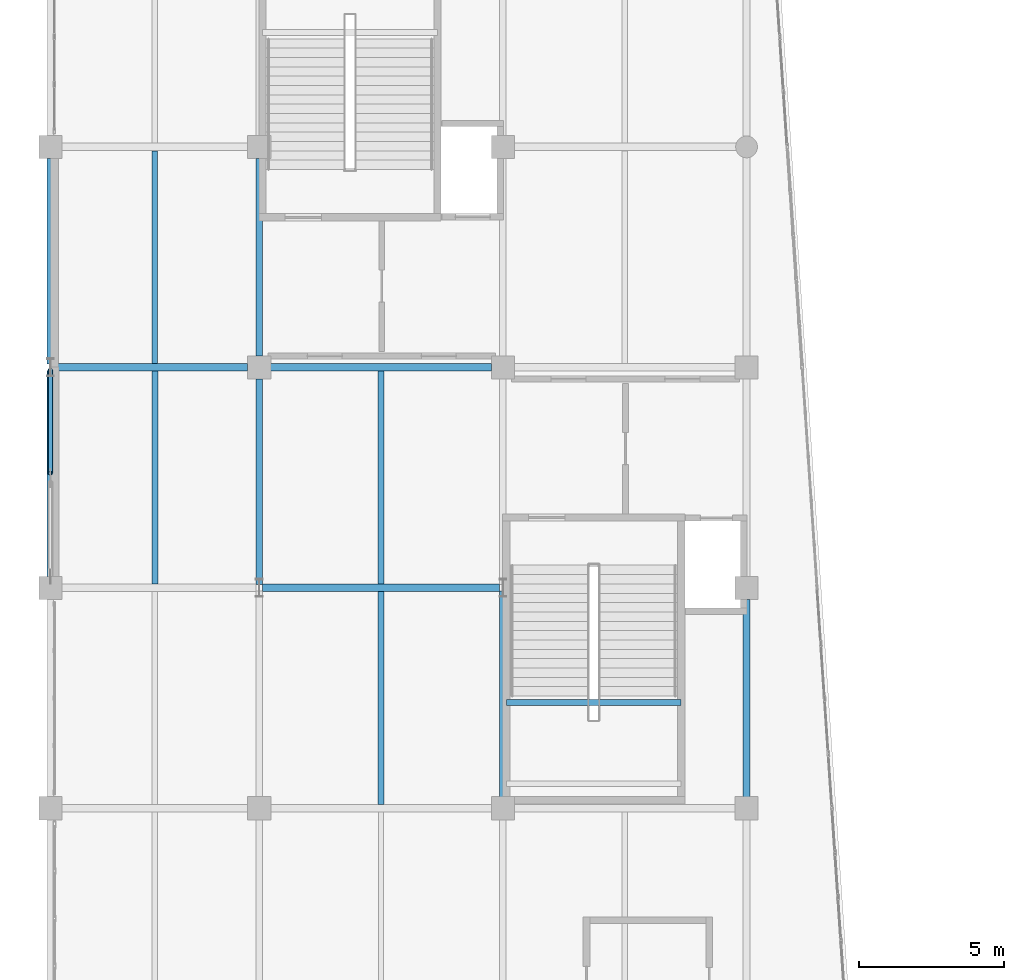
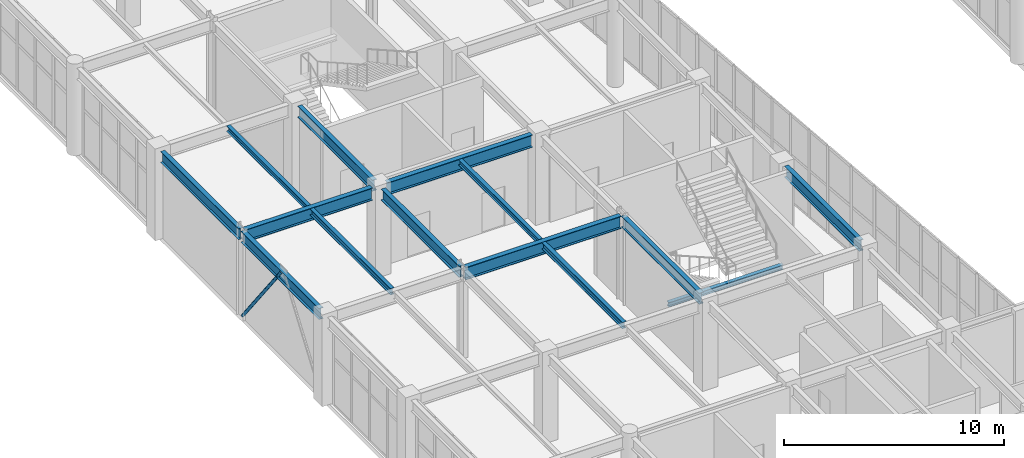
# One storey, part 22 of 128: 14 beams, 1 member.
"""IFC4 building model written with IfcOpenShell, lengths in metres."""

from ifc_helpers import new_model, si_unit, direction, frame, origin, origin_2d, place, context, subcontext, project, spatial, hollow_circle, i_section, extrude, material, material_profile, profile_set, type_object, element, save


model = new_model("IFC4")

# Units and contexts
model_context = context("Model", 3, precision=1e-05, world=origin(), true_north=direction((0.0, 1.0)))
body_context = subcontext(model_context, "Body", "Model", "MODEL_VIEW")
ifc_project = project(units=[si_unit("LENGTHUNIT", "METRE"), si_unit("AREAUNIT", "SQUARE_METRE"), si_unit("VOLUMEUNIT", "CUBIC_METRE"), si_unit("PLANEANGLEUNIT", "RADIAN"), si_unit("MASSUNIT", "GRAM", prefix="KILO")], contexts=[model_context])

# Site, building, storey
site_placement = place(None, origin())
site = spatial("IfcSite", under=ifc_project, at=site_placement, CompositionType="ELEMENT")
building_placement = place(site_placement, origin())
building = spatial("IfcBuilding", under=site, at=building_placement, Name="Xicomal Pleat Aquarium", CompositionType="ELEMENT")
storey_placement = place(building_placement, frame((0.0, 0.0, 5.39990234375)))
storey = spatial("IfcBuildingStorey", under=building, at=storey_placement, Name="L02", CompositionType="ELEMENT", Elevation=5.39990234375)

# Beams
ifc_material_1 = material(Name="Structural steel A992 Gr 50", Category="steel")
ifc_material_profile_1 = material_profile(ifc_material_1, i_section(OverallWidth=0.201904296875, OverallDepth=0.2470703125, WebThickness=0.00732421875, FlangeThickness=0.010986328125, at=origin_2d()), Name="IR 250x49")
ifc_profile_set_1 = profile_set([ifc_material_profile_1], Name="Structural steel A992 Gr 50")
beam_type_1 = type_object("IfcBeamType", Name="BM-STL-IR250", PredefinedType="JOIST", material=ifc_profile_set_1)
beam_1_placement = place(storey_placement, frame((18.719970703125, 49.251953125, 2.22900390625), z_axis=(1.0, 0.0, 0.0), x_axis=(0.0, 1.0, 0.0)))
element("IfcBeam", 1, at=beam_1_placement, inside=storey, type_object=beam_type_1, Name="ST-04-L02 half-landing bearer beam 2", PredefinedType="JOIST", context=body_context, shape_type="SweptSolid", body=[
    extrude(i_section(OverallWidth=0.201904296875, OverallDepth=0.2470703125, WebThickness=0.00732421875, FlangeThickness=0.010986328125, at=origin_2d()), origin(), (0.0, 0.0, 1.0), 6.02001953125),
])
ifc_material_2 = material(Name="Structural steel A992 Gr 50", Category="steel")
ifc_material_profile_2 = material_profile(ifc_material_2, i_section(OverallWidth=0.202880859375, OverallDepth=0.302978515625, WebThickness=0.007568359375, FlangeThickness=0.01318359375, at=origin_2d()), Name="IR 310x60")
ifc_profile_set_2 = profile_set([ifc_material_profile_2], Name="Structural steel A992 Gr 50")
beam_type_2 = type_object("IfcBeamType", Name="BM-STL-IR310", PredefinedType="JOIST", material=ifc_profile_set_2)
beam_2_placement = place(storey_placement, frame((6.60009765625, 60.930908203125, 4.7236328125), z_axis=(0.0, 1.0, 0.0), x_axis=(-1.0, 0.0, 0.0)))
element("IfcBeam", 2, at=beam_2_placement, inside=storey, type_object=beam_type_2, Name="L02 framing beam FBJ-L02-01-J-1", PredefinedType="JOIST", context=body_context, shape_type="SweptSolid", body=[
    extrude(i_section(OverallWidth=0.202880859375, OverallDepth=0.302978515625, WebThickness=0.007568359375, FlangeThickness=0.01318359375, at=origin_2d()), origin(), (0.0, 0.0, 1.0), 7.338134765625),
])
beam_3_placement = place(storey_placement, frame((14.39990234375, 53.3310546875, 4.7236328125), z_axis=(0.0, 1.0, 0.0), x_axis=(-1.0, 0.0, 0.0)))
element("IfcBeam", 3, at=beam_3_placement, inside=storey, type_object=beam_type_2, Name="L02 framing beam FBJ-L02-02-H-1", PredefinedType="JOIST", context=body_context, shape_type="SweptSolid", body=[
    extrude(i_section(OverallWidth=0.202880859375, OverallDepth=0.302978515625, WebThickness=0.007568359375, FlangeThickness=0.01318359375, at=origin_2d()), origin(), (0.0, 0.0, 1.0), 7.337890625),
])
ifc_material_3 = material(Name="Structural steel A992 Gr 50", Category="steel")
ifc_material_profile_3 = material_profile(ifc_material_3, i_section(OverallWidth=0.205078125, OverallDepth=0.35400390625, WebThickness=0.009521484375, FlangeThickness=0.016845703125, at=origin_2d()), Name="IR 360x79")
ifc_profile_set_3 = profile_set([ifc_material_profile_3], Name="Structural steel A992 Gr 50")
beam_type_3 = type_object("IfcBeamType", Name="BM-STL-IR360", PredefinedType="JOIST", material=ifc_profile_set_3)
beam_4_placement = place(storey_placement, frame((6.60009765625, 53.3310546875, 4.697998046875), z_axis=(0.0, 1.0, 0.0), x_axis=(-1.0, 0.0, 0.0)))
element("IfcBeam", 4, at=beam_4_placement, inside=storey, type_object=beam_type_3, Name="L02 framing beam FBJ-L02-01-H-1", PredefinedType="JOIST", context=body_context, shape_type="SweptSolid", body=[
    extrude(i_section(OverallWidth=0.205078125, OverallDepth=0.35400390625, WebThickness=0.009521484375, FlangeThickness=0.016845703125, at=origin_2d()), origin(), (0.0, 0.0, 1.0), 7.337890625),
])
beam_5_placement = place(storey_placement, frame((14.39990234375, 45.73095703125, 4.697998046875), z_axis=(0.0, 1.0, 0.0), x_axis=(-1.0, 0.0, 0.0)))
element("IfcBeam", 5, at=beam_5_placement, inside=storey, type_object=beam_type_3, Name="L02 framing beam FBJ-L02-02-G-1", PredefinedType="JOIST", context=body_context, shape_type="SweptSolid", body=[
    extrude(i_section(OverallWidth=0.205078125, OverallDepth=0.35400390625, WebThickness=0.009521484375, FlangeThickness=0.016845703125, at=origin_2d()), origin(), (0.0, 0.0, 1.0), 7.338134765625),
])
ifc_material_4 = material(Name="Structural steel A992 Gr 50", Category="steel")
ifc_material_profile_4 = material_profile(ifc_material_4, i_section(OverallWidth=0.22998046875, OverallDepth=0.616943359375, WebThickness=0.01318359375, FlangeThickness=0.022216796875, at=origin_2d()), Name="IR 610x140")
ifc_profile_set_4 = profile_set([ifc_material_profile_4], Name="Structural steel A992 Gr 50")
beam_type_4 = type_object("IfcBeamType", Name="BM-STL-IR610", PredefinedType="BEAM", material=ifc_profile_set_4)
for number, where, z_axis, x_axis, name in (
    (6, (3.0, 53.594970703125, 4.566650390625), (0.0, 1.0, 0.0), (-1.0, 0.0, 0.0), "L02 framing beam FGY-L02-01-H-J"),
    (7, (3.0, 60.909912109375, 4.566650390625), (0.0, 1.0, 0.0), (-1.0, 0.0, 0.0), "L02 framing beam FGY-L02-01-J-K"),
    (8, (10.199951171875, 53.31005859375, 4.566650390625), (0.0, 1.0, 0.0), (-1.0, 0.0, 0.0), "L02 framing beam FGY-L02-02-H-J"),
):
    element("IfcBeam", number, at=place(storey_placement, frame(where, z_axis=z_axis, x_axis=x_axis)), inside=storey, type_object=beam_type_4, Name=name, PredefinedType="BEAM", context=body_context, shape_type="SweptSolid", body=[
        extrude(i_section(OverallWidth=0.22998046875, OverallDepth=0.616943359375, WebThickness=0.01318359375, FlangeThickness=0.022216796875, at=origin_2d()), origin(), (0.0, 0.0, 1.0), 7.094970703125),
    ])
beam_6_placement = place(storey_placement, frame((10.199951171875, 61.195068359375, 4.566650390625), z_axis=(0.0, 1.0, 0.0), x_axis=(-1.0, 0.0, 0.0)))
element("IfcBeam", 9, at=beam_6_placement, inside=storey, type_object=beam_type_4, Name="L02 framing beam FGY-L02-02-J-K", PredefinedType="BEAM", context=body_context, shape_type="SweptSolid", body=[
    extrude(i_section(OverallWidth=0.22998046875, OverallDepth=0.616943359375, WebThickness=0.01318359375, FlangeThickness=0.022216796875, at=origin_2d()), origin(), (0.0, 0.0, 1.0), 6.809814453125),
])
beam_7_placement = place(storey_placement, frame((18.60009765625, 45.9951171875, 4.566650390625), z_axis=(0.0, 1.0, 0.0), x_axis=(-1.0, 0.0, 0.0)))
element("IfcBeam", 10, at=beam_7_placement, inside=storey, type_object=beam_type_4, Name="L02 framing beam FGY-L02-03-G-H", PredefinedType="BEAM", context=body_context, shape_type="SweptSolid", body=[
    extrude(i_section(OverallWidth=0.22998046875, OverallDepth=0.616943359375, WebThickness=0.01318359375, FlangeThickness=0.022216796875, at=origin_2d()), origin(), (0.0, 0.0, 1.0), 7.094970703125),
])
beam_8_placement = place(storey_placement, frame((27.0, 45.9951171875, 4.566650390625), z_axis=(0.0, 1.0, 0.0), x_axis=(-1.0, 0.0, 0.0)))
element("IfcBeam", 11, at=beam_8_placement, inside=storey, type_object=beam_type_4, Name="L02 framing beam FGY-L02-04-G-H", PredefinedType="BEAM", context=body_context, shape_type="SweptSolid", body=[
    extrude(i_section(OverallWidth=0.22998046875, OverallDepth=0.616943359375, WebThickness=0.01318359375, FlangeThickness=0.022216796875, at=origin_2d()), origin(), (0.0, 0.0, 1.0), 6.809814453125),
])
ifc_material_5 = material(Name="Structural steel A992 Gr 50", Category="steel")
ifc_material_profile_5 = material_profile(ifc_material_5, i_section(OverallWidth=0.256103515625, OverallDepth=0.693115234375, WebThickness=0.014404296875, FlangeThickness=0.023681640625, at=origin_2d()), Name="IR 690x170")
ifc_profile_set_5 = profile_set([ifc_material_profile_5], Name="Structural steel A992 Gr 50")
beam_type_5 = type_object("IfcBeamType", Name="BM-STL-IR690", PredefinedType="BEAM", material=ifc_profile_set_5)
beam_9_placement = place(storey_placement, frame((10.31005859375, 53.199951171875, 4.528564453125), z_axis=(1.0, 0.0, 0.0), x_axis=(0.0, 1.0, 0.0)))
element("IfcBeam", 12, at=beam_9_placement, inside=storey, type_object=beam_type_5, Name="L02 framing beam FGX-L02-02-03-H", PredefinedType="BEAM", context=body_context, shape_type="SweptSolid", body=[
    extrude(i_section(OverallWidth=0.256103515625, OverallDepth=0.693115234375, WebThickness=0.014404296875, FlangeThickness=0.023681640625, at=origin_2d()), origin(), (0.0, 0.0, 1.0), 8.179931640625),
])
beam_10_placement = place(storey_placement, frame((3.110107421875, 60.800048828125, 4.528564453125), z_axis=(1.0, 0.0, 0.0), x_axis=(0.0, 1.0, 0.0)))
element("IfcBeam", 13, at=beam_10_placement, inside=storey, type_object=beam_type_5, Name="L02 framing beam FGX-L02-01-02-J", PredefinedType="BEAM", context=body_context, shape_type="SweptSolid", body=[
    extrude(i_section(OverallWidth=0.256103515625, OverallDepth=0.693115234375, WebThickness=0.014404296875, FlangeThickness=0.023681640625, at=origin_2d()), origin(), (0.0, 0.0, 1.0), 6.69482421875),
])
beam_11_placement = place(storey_placement, frame((10.594970703125, 60.800048828125, 4.528564453125), z_axis=(1.0, 0.0, 0.0), x_axis=(0.0, 1.0, 0.0)))
element("IfcBeam", 14, at=beam_11_placement, inside=storey, type_object=beam_type_5, Name="L02 framing beam FGX-L02-02-03-J", PredefinedType="BEAM", context=body_context, shape_type="SweptSolid", body=[
    extrude(i_section(OverallWidth=0.256103515625, OverallDepth=0.693115234375, WebThickness=0.014404296875, FlangeThickness=0.023681640625, at=origin_2d()), origin(), (0.0, 0.0, 1.0), 7.610107421875),
])

# Member
ifc_material_6 = material(Name="Structural steel A500 Gr C", Category="steel")
ifc_material_profile_6 = material_profile(ifc_material_6, hollow_circle(Radius=0.083984375, WallThickness=0.010009765625, at=origin_2d()), Name="OC 168x10")
ifc_profile_set_6 = profile_set([ifc_material_profile_6], Name="Structural steel A500 Gr C")
member_type = type_object("IfcMemberType", Name="MEM-BR-OC168", PredefinedType="BRACE", material=ifc_profile_set_6)
member_placement = place(storey_placement, frame((3.0, 60.705078125, 0.150146484375), z_axis=(0.0, -0.611527575906, 0.791223118915), x_axis=(1.0, 0.0, 0.0)))
element("IfcMember", 15, at=member_placement, inside=storey, type_object=member_type, Name="L02 chevron brace 8B", PredefinedType="BRACE", context=body_context, shape_type="SweptSolid", body=[
    extrude(hollow_circle(Radius=0.083984375, WallThickness=0.010009765625, at=origin_2d()), origin(), (0.0, 0.0, 1.0), 5.8134765625),
])

save(model, "model.ifc")
